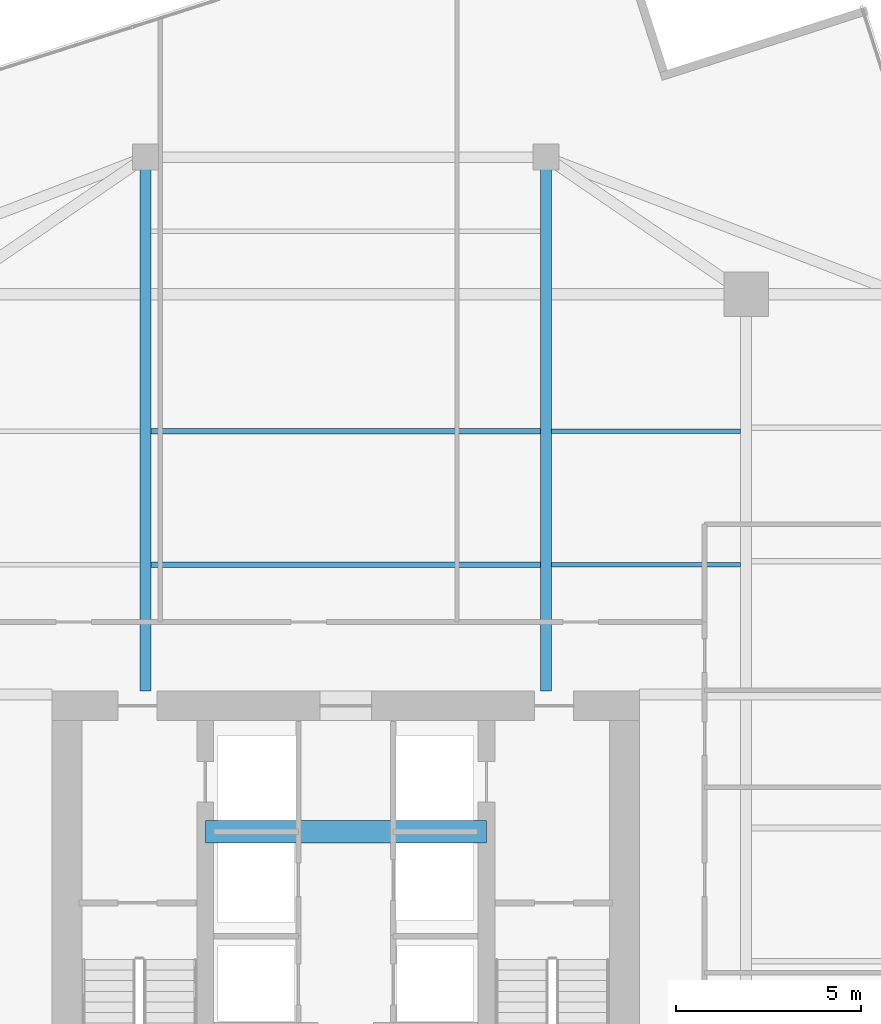
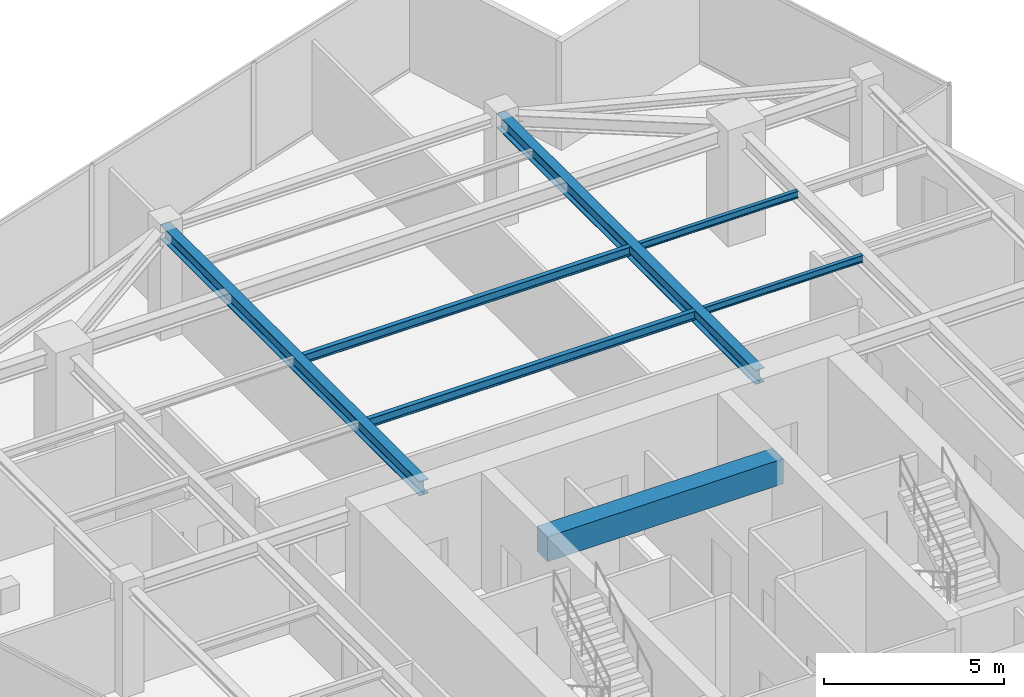
# One storey, part 8 of 21: 7 beams.
"""IFC4 building model written with IfcOpenShell, lengths in metres."""

from ifc_helpers import new_model, si_unit, direction, frame, origin, origin_2d, place, context, subcontext, project, spatial, rectangle, i_section, extrude, source, transform, mapped, material, material_profile, profile_set, type_object, type_shapes, element, save


model = new_model("IFC4")

# Units and contexts
model_context = context("Model", 3, precision=1e-05, world=origin(), true_north=direction((0.0, 1.0)))
body_context = subcontext(model_context, "Body", "Model", "MODEL_VIEW")
ifc_project = project(units=[si_unit("LENGTHUNIT", "METRE"), si_unit("AREAUNIT", "SQUARE_METRE"), si_unit("VOLUMEUNIT", "CUBIC_METRE"), si_unit("PLANEANGLEUNIT", "RADIAN"), si_unit("MASSUNIT", "GRAM", prefix="KILO")], contexts=[model_context])

# Site, building, storey
site_placement = place(None, origin())
site = spatial("IfcSite", under=ifc_project, at=site_placement, CompositionType="ELEMENT")
building_placement = place(site_placement, origin())
building = spatial("IfcBuilding", under=site, at=building_placement, Name="Krantzveldt Concourse Tower", CompositionType="ELEMENT")
storey_placement = place(building_placement, frame((0.0, 0.0, 343.5)))
storey = spatial("IfcBuildingStorey", under=building, at=storey_placement, Name="L84", CompositionType="ELEMENT", Elevation=343.5)

# Beams
ifc_material_1 = material(Name="Steel S355JR", Category="steel")
ifc_material_profile_1 = material_profile(ifc_material_1, i_section(OverallWidth=0.300048828125, OverallDepth=0.489990234375, WebThickness=0.011962890625, FlangeThickness=0.02294921875, FilletRadius=0.027099609375, at=origin_2d()), Name="Steel S355JR", Category="steel")
ifc_profile_set_1 = profile_set([ifc_material_profile_1], Name="Steel S355JR - HEA 500")
beam_type_1 = type_object("IfcBeamType", Name="BM-B-HEA500", PredefinedType="BEAM", material=ifc_profile_set_1)
shared_shape_1 = source(origin(), body_context, "Body", "SweptSolid", [
    extrude(i_section(OverallWidth=0.300048828125, OverallDepth=0.489990234375, WebThickness=0.011962890625, FlangeThickness=0.02294921875, FilletRadius=0.027099609375, at=origin_2d()), origin(), (0.0, 0.0, 1.0), 14.39990234375),
])
type_shapes(beam_type_1, [shared_shape_1])
for number, where, z_axis, x_axis, name in (
    (1, (30.60009765625, 26.800048828125, 3.425048828125), (0.0, 1.0, 0.0), (-1.0, 0.0, 0.0), "L84 Tower Girder BG-CNW"),
    (2, (41.39990234375, 26.800048828125, 3.425048828125), (0.0, 1.0, 0.0), (-1.0, 0.0, 0.0), "L84 Tower Girder BG-CNE"),
):
    element("IfcBeam", number, at=place(storey_placement, frame(where, z_axis=z_axis, x_axis=x_axis)), inside=storey, type_object=beam_type_1, Name=name, PredefinedType="BEAM", context=body_context, shape_type="MappedRepresentation", body=[
        mapped(shared_shape_1, transform((0.0, 0.0, 0.0), x_axis=(1.0, 0.0, 0.0), y_axis=(0.0, 1.0, 0.0), z_axis=(0.0, 0.0, 1.0), scale=1.0)),
    ])
ifc_material_profile_2 = material_profile(ifc_material_1, i_section(OverallWidth=0.14990234375, OverallDepth=0.300048828125, WebThickness=0.007080078125, FlangeThickness=0.0107421875, FilletRadius=0.014892578125, at=origin_2d()), Name="Steel S355JR", Category="steel")
ifc_profile_set_2 = profile_set([ifc_material_profile_2], Name="Steel S355JR - IPE 300")
beam_type_2 = type_object("IfcBeamType", Name="BM-J-IPE300", PredefinedType="JOIST", material=ifc_profile_set_2)
shared_shape_2 = source(origin(), body_context, "Body", "SweptSolid", [
    extrude(i_section(OverallWidth=0.14990234375, OverallDepth=0.300048828125, WebThickness=0.007080078125, FlangeThickness=0.0107421875, FilletRadius=0.014892578125, at=origin_2d()), origin(), (0.0, 0.0, 1.0), 10.5),
])
type_shapes(beam_type_2, [shared_shape_2])
for number, where, z_axis, x_axis, name in (
    (3, (30.75, 30.199951171875, 3.52001953125), (1.0, 0.0, 0.0), (0.0, 1.0, 0.0), "L84 Secondary Floor Joist JN-C1"),
    (4, (30.75, 33.800048828125, 3.52001953125), (1.0, 0.0, 0.0), (0.0, 1.0, 0.0), "L84 Secondary Floor Joist JN-C2"),
):
    element("IfcBeam", number, at=place(storey_placement, frame(where, z_axis=z_axis, x_axis=x_axis)), inside=storey, type_object=beam_type_2, Name=name, PredefinedType="JOIST", context=body_context, shape_type="MappedRepresentation", body=[
        mapped(shared_shape_2, transform((0.0, 0.0, 0.0), x_axis=(1.0, 0.0, 0.0), y_axis=(0.0, 1.0, 0.0), z_axis=(0.0, 0.0, 1.0), scale=1.0)),
    ])
ifc_material_2 = material(Name="Concrete C50/60", Category="concrete")
ifc_material_profile_3 = material_profile(ifc_material_2, rectangle(XDim=0.60009765625, YDim=0.85009765625, at=origin_2d()), Name="Concrete C50/60", Category="concrete")
ifc_profile_set_3 = profile_set([ifc_material_profile_3], Name="Concrete C50/60 - RC-CB 600x850")
beam_type_3 = type_object("IfcBeamType", Name="BM-CB-850", PredefinedType="LINTEL", material=ifc_profile_set_3)
shared_shape_3 = source(origin(), body_context, "Body", "SweptSolid", [
    extrude(rectangle(XDim=0.60009765625, YDim=0.85009765625, at=origin_2d()), origin(), (0.0, 0.0, 1.0), 7.580078125),
])
type_shapes(beam_type_3, [shared_shape_3])
beam_placement = place(storey_placement, frame((32.2099609375, 23.0, 3.2451171875), z_axis=(1.0, 0.0, 0.0), x_axis=(0.0, 1.0, 0.0)))
element("IfcBeam", 5, at=beam_placement, inside=storey, type_object=beam_type_3, Name="CB-L84-01", PredefinedType="LINTEL", context=body_context, shape_type="MappedRepresentation", body=[
    mapped(shared_shape_3, transform((0.0, 0.0, 0.0), x_axis=(1.0, 0.0, 0.0), y_axis=(0.0, 1.0, 0.0), z_axis=(0.0, 0.0, 1.0), scale=1.0)),
])
ifc_material_profile_4 = material_profile(ifc_material_1, i_section(OverallWidth=0.1201171875, OverallDepth=0.239990234375, WebThickness=0.006103515625, FlangeThickness=0.009765625, FilletRadius=0.014892578125, at=origin_2d()), Name="Steel S355JR", Category="steel")
ifc_profile_set_4 = profile_set([ifc_material_profile_4], Name="Steel S355JR - IPE 240")
beam_type_4 = type_object("IfcBeamType", Name="BM-LN-IPE240", PredefinedType="LINTEL", material=ifc_profile_set_4)
shared_shape_4 = source(origin(), body_context, "Body", "SweptSolid", [
    extrude(i_section(OverallWidth=0.1201171875, OverallDepth=0.239990234375, WebThickness=0.006103515625, FlangeThickness=0.009765625, FilletRadius=0.014892578125, at=origin_2d()), origin(), (0.0, 0.0, 1.0), 5.099853515625),
])
type_shapes(beam_type_4, [shared_shape_4])
for number, where, z_axis, x_axis, name in (
    (6, (41.550048828125, 30.199951171875, 3.550048828125), (1.0, 0.0, 0.0), (0.0, 1.0, 0.0), "L84 Secondary Floor Joist JN-E1"),
    (7, (41.550048828125, 33.800048828125, 3.550048828125), (1.0, 0.0, 0.0), (0.0, 1.0, 0.0), "L84 Secondary Floor Joist JN-E2"),
):
    element("IfcBeam", number, at=place(storey_placement, frame(where, z_axis=z_axis, x_axis=x_axis)), inside=storey, type_object=beam_type_4, Name=name, PredefinedType="LINTEL", context=body_context, shape_type="MappedRepresentation", body=[
        mapped(shared_shape_4, transform((0.0, 0.0, 0.0), x_axis=(1.0, 0.0, 0.0), y_axis=(0.0, 1.0, 0.0), z_axis=(0.0, 0.0, 1.0), scale=1.0)),
    ])

save(model, "model.ifc")
